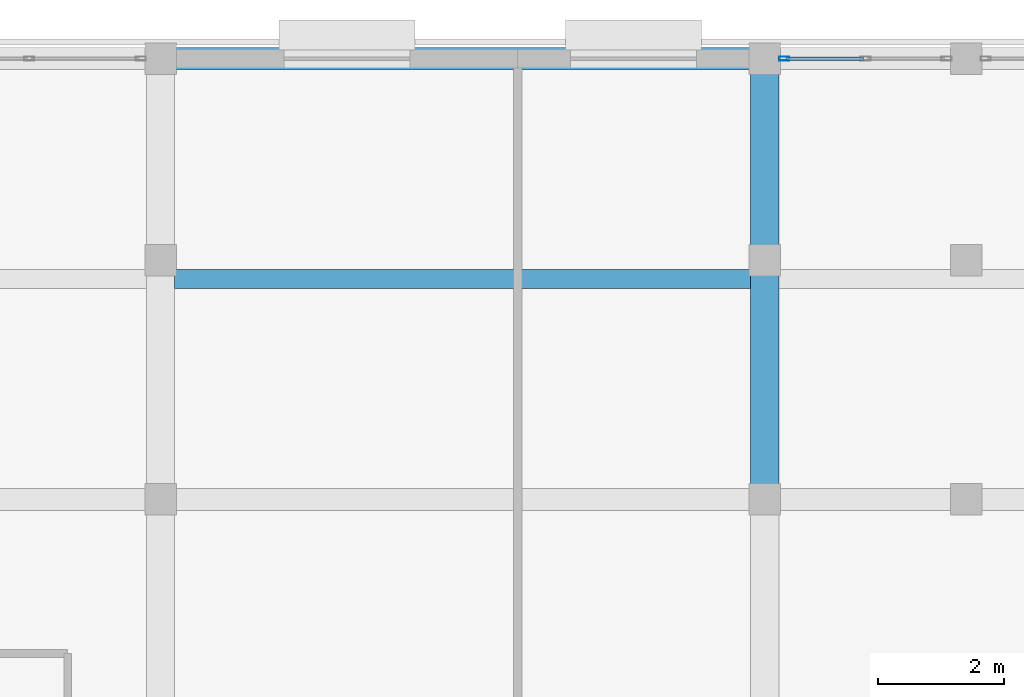
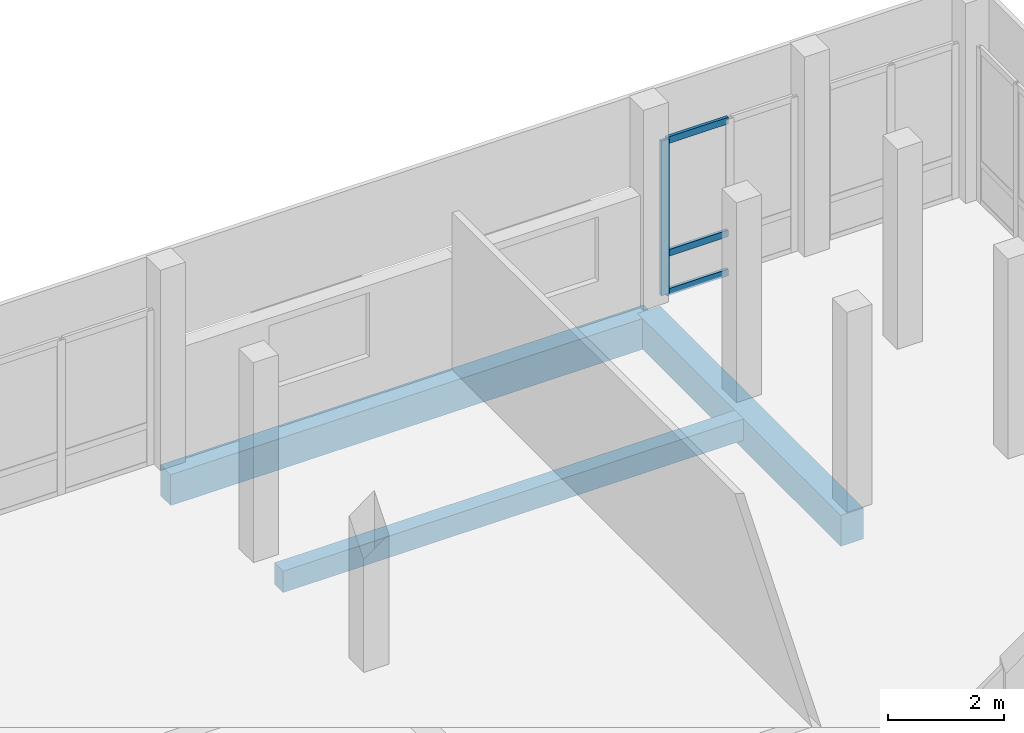
# One storey, part 17 of 29: 4 members, 3 beams, 1 element without a shape of its own.
"""IFC4 building model written with IfcOpenShell, lengths in metres."""

from ifc_helpers import new_model, si_unit, direction, frame, origin, origin_2d, place, context, subcontext, project, spatial, rectangle, hollow_rectangle, extrude, material, material_profile, profile_set, type_object, element, aggregate, save


model = new_model("IFC4")

# Units and contexts
model_context = context("Model", 3, precision=1e-05, world=origin(), true_north=direction((0.0, 1.0)))
body_context = subcontext(model_context, "Body", "Model", "MODEL_VIEW")
ifc_project = project(units=[si_unit("LENGTHUNIT", "METRE"), si_unit("AREAUNIT", "SQUARE_METRE"), si_unit("VOLUMEUNIT", "CUBIC_METRE"), si_unit("PLANEANGLEUNIT", "RADIAN"), si_unit("MASSUNIT", "GRAM", prefix="KILO")], contexts=[model_context])

# Site, building, storey
site_placement = place(None, origin())
site = spatial("IfcSite", under=ifc_project, at=site_placement, CompositionType="ELEMENT")
building_placement = place(site_placement, origin())
building = spatial("IfcBuilding", under=site, at=building_placement, Name="Vondelvale Polytechnic", CompositionType="ELEMENT")
storey_placement = place(building_placement, frame((0.0, 0.0, 26.39990234375)))
storey = spatial("IfcBuildingStorey", under=building, at=storey_placement, Name="L06", CompositionType="ELEMENT", Elevation=26.39990234375)

# Beam
ifc_material_1 = material(Name="Concrete N40 (f'c = 40 MPa)", Category="concrete")
ifc_material_profile_1 = material_profile(ifc_material_1, rectangle(XDim=0.449951171875, YDim=0.64990234375, at=origin_2d()), Name="RC-BM-450x650")
ifc_profile_set_1 = profile_set([ifc_material_profile_1], Name="Concrete N40 (f'c = 40 MPa)")
beam_type_1 = type_object("IfcBeamType", Name="BM-RC450x650", PredefinedType="BEAM", material=ifc_profile_set_1)
beam_1_placement = place(storey_placement, frame((38.39990234375, 30.60009765625, -0.5498046875), z_axis=(0.0, 1.0, 0.0), x_axis=(-1.0, 0.0, 0.0)))
element("IfcBeam", 1, at=beam_1_placement, inside=storey, type_object=beam_type_1, Name="L06 B B-04", PredefinedType="BEAM", context=body_context, shape_type="SweptSolid", body=[
    extrude(rectangle(XDim=0.449951171875, YDim=0.64990234375, at=origin_2d()), origin(), (0.0, 0.0, 1.0), 7.0),
])

# Curtain wall, members
ifc_material_2 = material(Name="Anodised extruded aluminium 6063-T6", Category="aluminium")
curtain_wall_type = type_object("IfcCurtainWallType", Name="CW-STUDIO-NORTH", PredefinedType="NOTDEFINED", material=ifc_material_2)
curtain_wall_placement = place(storey_placement, origin())
curtain_wall = element("IfcCurtainWall", 2, at=curtain_wall_placement, inside=storey, type_object=curtain_wall_type, Name="L06 architectural curtain wall CW-01-056", PredefinedType="NOTDEFINED")
ifc_material_profile_2 = material_profile(ifc_material_2, hollow_rectangle(XDim=0.06494140625, YDim=0.159912109375, WallThickness=0.0048828125, at=origin_2d()), Name="CW-MUL-160x65")
ifc_profile_set_2 = profile_set([ifc_material_profile_2], Name="Anodised extruded aluminium 6063-T6")
member_type_1 = type_object("IfcMemberType", Name="CW-MUL-65x160", PredefinedType="MULLION", material=ifc_profile_set_2)
member_1_placement = place(storey_placement, frame((38.71240234375, 37.60009765625, 0.0), z_axis=(0.0, 0.0, 1.0), x_axis=(0.0, 1.0, 0.0)))
member_1 = element("IfcMember", 3, at=member_1_placement, type_object=member_type_1, Name="CW-01-056 mullion 1", PredefinedType="MULLION", context=body_context, shape_type="SweptSolid", body=[
    extrude(hollow_rectangle(XDim=0.06494140625, YDim=0.159912109375, WallThickness=0.0048828125, at=origin_2d()), origin(), (0.0, 0.0, 1.0), 3.25),
])
ifc_material_profile_3 = material_profile(ifc_material_2, hollow_rectangle(XDim=0.06005859375, YDim=0.139892578125, WallThickness=0.00341796875, at=origin_2d()), Name="CW-TRN-140x60")
ifc_profile_set_3 = profile_set([ifc_material_profile_3], Name="Anodised extruded aluminium 6063-T6")
member_type_2 = type_object("IfcMemberType", Name="CW-TRN-60x140", PredefinedType="USERDEFINED", material=ifc_profile_set_3)
member_2_placement = place(storey_placement, frame((38.7451171875, 37.60009765625, 0.030029296875), z_axis=(1.0, 0.0, 0.0), x_axis=(0.0, 1.0, 0.0)))
member_2 = element("IfcMember", 4, at=member_2_placement, type_object=member_type_2, Name="CW-01-056 transom 1.1", ObjectType="TRANSOM", PredefinedType="USERDEFINED", context=body_context, shape_type="SweptSolid", body=[
    extrude(hollow_rectangle(XDim=0.06005859375, YDim=0.139892578125, WallThickness=0.00341796875, at=origin_2d()), origin(), (0.0, 0.0, 1.0), 1.222412109375),
])
member_3_placement = place(storey_placement, frame((38.7451171875, 37.60009765625, 0.85009765625), z_axis=(1.0, 0.0, 0.0), x_axis=(0.0, 1.0, 0.0)))
member_3 = element("IfcMember", 5, at=member_3_placement, type_object=member_type_2, Name="CW-01-056 transom 1.2", ObjectType="TRANSOM", PredefinedType="USERDEFINED", context=body_context, shape_type="SweptSolid", body=[
    extrude(hollow_rectangle(XDim=0.06005859375, YDim=0.139892578125, WallThickness=0.00341796875, at=origin_2d()), origin(), (0.0, 0.0, 1.0), 1.222412109375),
])
member_4_placement = place(storey_placement, frame((38.7451171875, 37.60009765625, 3.22021484375), z_axis=(1.0, 0.0, 0.0), x_axis=(0.0, 1.0, 0.0)))
member_4 = element("IfcMember", 6, at=member_4_placement, type_object=member_type_2, Name="CW-01-056 transom 1.3", ObjectType="TRANSOM", PredefinedType="USERDEFINED", context=body_context, shape_type="SweptSolid", body=[
    extrude(hollow_rectangle(XDim=0.06005859375, YDim=0.139892578125, WallThickness=0.00341796875, at=origin_2d()), origin(), (0.0, 0.0, 1.0), 1.222412109375),
])
aggregate(curtain_wall, [member_1, member_2, member_3, member_4])

# Beams
ifc_material_profile_4 = material_profile(ifc_material_1, rectangle(XDim=0.300048828125, YDim=0.449951171875, at=origin_2d()), Name="RC-JST-300x450")
ifc_profile_set_4 = profile_set([ifc_material_profile_4], Name="Concrete N40 (f'c = 40 MPa)")
beam_type_2 = type_object("IfcBeamType", Name="JST-RC300x450", PredefinedType="JOIST", material=ifc_profile_set_4)
beam_2_placement = place(storey_placement, frame((29.02490234375, 34.10009765625, -0.449951171875), z_axis=(1.0, 0.0, 0.0), x_axis=(0.0, 1.0, 0.0)))
element("IfcBeam", 7, at=beam_2_placement, inside=storey, type_object=beam_type_2, Name="L06 J J-03", PredefinedType="JOIST", context=body_context, shape_type="SweptSolid", body=[
    extrude(rectangle(XDim=0.300048828125, YDim=0.449951171875, at=origin_2d()), origin(), (0.0, 0.0, 1.0), 9.150146484375),
])
ifc_material_3 = material(Name="Precast concrete N40 (f'c = 40 MPa)", Category="concrete")
ifc_material_profile_5 = material_profile(ifc_material_3, rectangle(XDim=0.35009765625, YDim=0.64990234375, at=origin_2d()), Name="RC-SPN-350x650")
ifc_profile_set_5 = profile_set([ifc_material_profile_5], Name="Precast concrete N40 (f'c = 40 MPa)")
beam_type_3 = type_object("IfcBeamType", Name="SPN-PRE350x650", PredefinedType="SPANDREL", material=ifc_profile_set_5)
beam_3_placement = place(storey_placement, frame((28.800048828125, 37.60009765625, -0.5498046875), z_axis=(1.0, 0.0, 0.0), x_axis=(0.0, 1.0, 0.0)))
element("IfcBeam", 8, at=beam_3_placement, inside=storey, type_object=beam_type_3, Name="L06 B SP-02", PredefinedType="SPANDREL", context=body_context, shape_type="SweptSolid", body=[
    extrude(rectangle(XDim=0.35009765625, YDim=0.64990234375, at=origin_2d()), origin(), (0.0, 0.0, 1.0), 9.599853515625),
])

save(model, "model.ifc")
